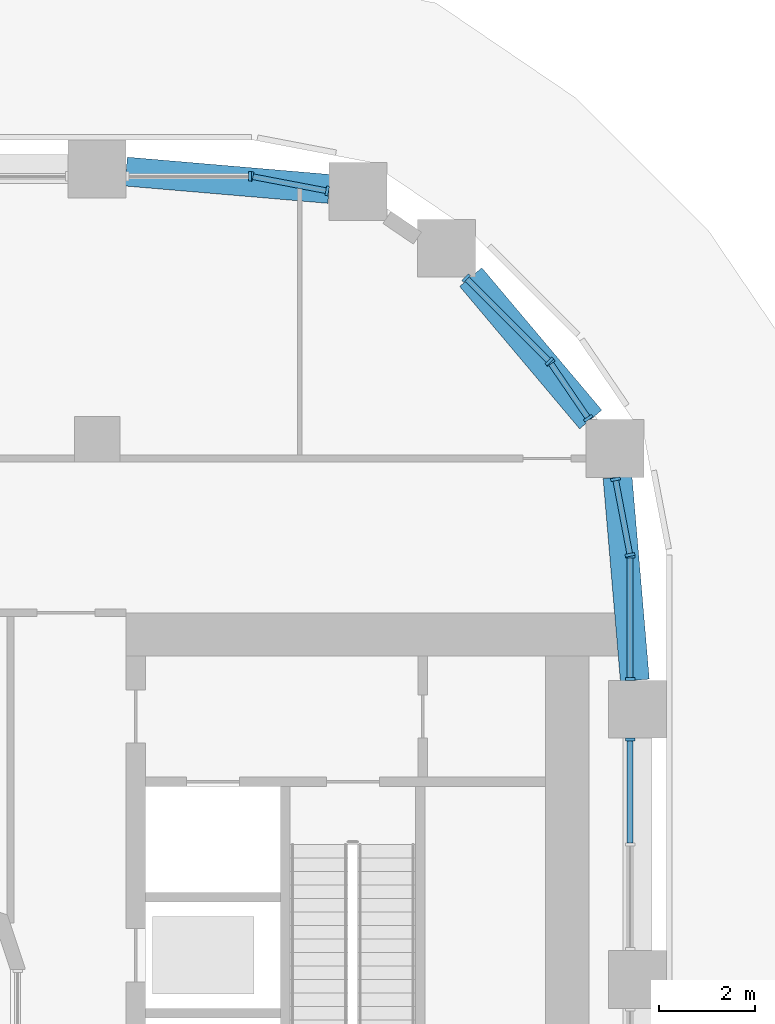
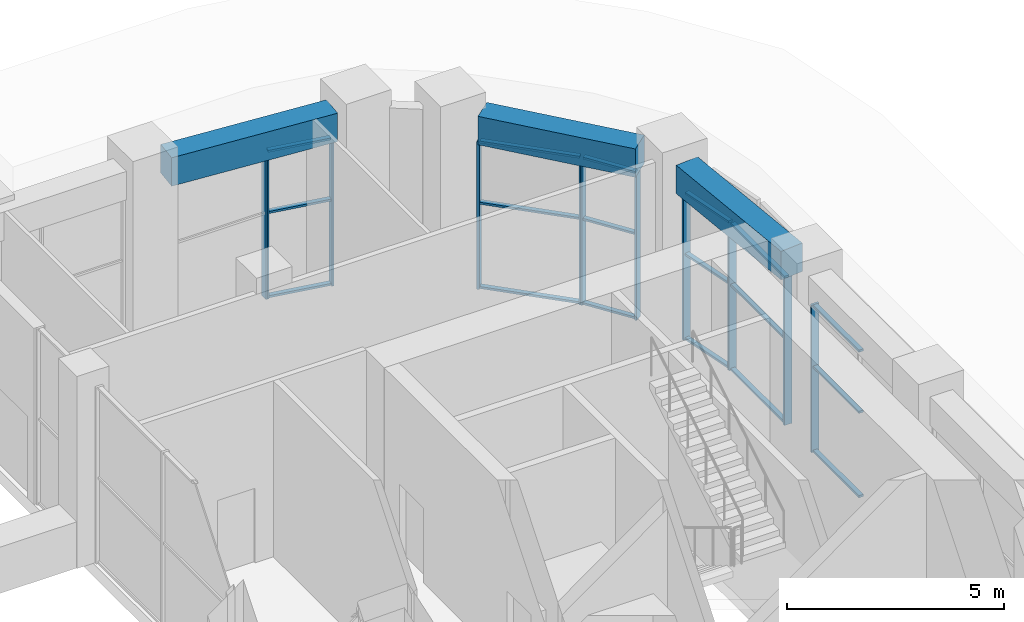
# One storey, part 10 of 28: 30 members, 3 beams, 7 elements without a shape of their own.
"""IFC4 building model written with IfcOpenShell, lengths in metres."""

import ifcopenshell
import ifcopenshell.guid

model = None  # the IFC model being written
_history = None  # IfcOwnerHistory: only IFC2X3 demands one
_inside = {}  # id of a spatial element -> (the spatial element, [elements in it])
_under = {}  # id of a project, library or spatial element -> (it, [spatial elements below it])
_declared = {}  # id of a project -> (the project, [libraries it declares])
_typed = {}  # id of a type object -> (the type object, [elements of that type])
_made_of = {}  # id of a material, layer set ... -> (it, [elements and type objects made of it])


def new_model(schema):
    """Start an empty IFC model of exactly this schema.

    Asked for "IFC4X3", IfcOpenShell would pick the latest addendum, in which some entities
    have other attributes; the version numbers below select the first issue.
    IFC2X3 requires an IfcOwnerHistory on every rooted entity: one is made here for all.
    """
    global model, _history
    if schema == "IFC4X3":
        model = ifcopenshell.file(schema_version=(4, 3, 0, 0))
    else:
        model = ifcopenshell.file(schema=schema)
    _inside.clear()
    _under.clear()
    _declared.clear()
    _typed.clear()
    _made_of.clear()
    _history = None
    if model.schema == "IFC2X3":
        org = make("IfcOrganization", Name="unknown")
        user = make(
            "IfcPersonAndOrganization",
            ThePerson=make("IfcPerson", FamilyName="unknown"),
            TheOrganization=org,
        )
        app = make(
            "IfcApplication",
            ApplicationDeveloper=org,
            Version="unknown",
            ApplicationFullName="unknown",
            ApplicationIdentifier="unknown",
        )
        _history = make(
            "IfcOwnerHistory",
            OwningUser=user,
            OwningApplication=app,
            ChangeAction="ADDED",
            CreationDate=0,
        )
    return model


def make(cls, **values):
    """One entity of the class cls with the attributes given. An attribute that is None is left unset."""
    return model.create_entity(
        cls, **{name: value for name, value in values.items() if value is not None}
    )


def rooted(cls, **values):
    """An entity with a GlobalId (a new one), such as an element, a storey or a relation."""
    return make(cls, GlobalId=ifcopenshell.guid.new(), OwnerHistory=_history, **values)


def si_unit(unit_type, name, prefix=None):
    """IfcSIUnit, for example si_unit("LENGTHUNIT", "METRE", prefix="MILLI")."""
    return make("IfcSIUnit", UnitType=unit_type, Prefix=prefix, Name=name)


def assignment(units):
    """IfcUnitAssignment: the units of a project."""
    return None if units is None else make("IfcUnitAssignment", Units=units)


def point(xyz):
    """IfcCartesianPoint."""
    return None if xyz is None else make("IfcCartesianPoint", Coordinates=xyz)


def direction(xyz):
    """IfcDirection."""
    return None if xyz is None else make("IfcDirection", DirectionRatios=xyz)


def frame(location, z_axis=None, x_axis=None):
    """IfcAxis2Placement3D, a coordinate frame: its origin and axes. An axis left out is left unset."""
    return make(
        "IfcAxis2Placement3D",
        Location=point(location),
        Axis=direction(z_axis),
        RefDirection=direction(x_axis),
    )


def frame_2d(location, x_axis=None):
    """IfcAxis2Placement2D, a coordinate frame in the plane: its origin and x axis."""
    return make(
        "IfcAxis2Placement2D", Location=point(location), RefDirection=direction(x_axis)
    )


def origin():
    """The frame at (0, 0, 0) with its axes left unset."""
    return frame((0.0, 0.0, 0.0))


def origin_2d():
    """The frame at (0, 0) in the plane with its x axis left unset."""
    return frame_2d((0.0, 0.0))


def place(relative_to, where):
    """IfcLocalPlacement: puts the frame where relative to a parent placement (None: the world)."""
    return make(
        "IfcLocalPlacement", PlacementRelTo=relative_to, RelativePlacement=where
    )


def context(
    kind, dimensions, precision=None, world=None, true_north=None, identifier=None
):
    """IfcGeometricRepresentationContext, for example the 3D "Model" context."""
    return make(
        "IfcGeometricRepresentationContext",
        ContextIdentifier=identifier,
        ContextType=kind,
        CoordinateSpaceDimension=dimensions,
        Precision=precision,
        WorldCoordinateSystem=world,
        TrueNorth=true_north,
    )


def subcontext(parent, identifier, kind, view, scale=None):
    """IfcGeometricRepresentationSubContext, for example "Body" below "Model"."""
    return make(
        "IfcGeometricRepresentationSubContext",
        ContextIdentifier=identifier,
        ContextType=kind,
        ParentContext=parent,
        TargetScale=scale,
        TargetView=view,
    )


def project(units=None, contexts=None):
    """IfcProject with its units and contexts."""
    return rooted(
        "IfcProject",
        Name="project",
        RepresentationContexts=contexts,
        UnitsInContext=assignment(units),
    )


def spatial(cls, under=None, at=None, **own):
    """A site, building, storey or space (cls), placed at a placement, below another one or the project."""
    s = rooted(cls, ObjectPlacement=at, **own)
    if under is not None:
        _under.setdefault(under.id(), (under, []))[1].append(s)
    return s


def profile(cls, at=None, kind="AREA", **sizes):
    """A parametric profile (cls). Its sizes go by their IFC names, for example OverallWidth=200.0."""
    return make(cls, ProfileType=kind, Position=at, **sizes)


def rectangle(**sizes):
    """IfcRectangleProfileDef."""
    return profile("IfcRectangleProfileDef", **sizes)


def extrude(swept, where, along, depth):
    """IfcExtrudedAreaSolid: the profile swept, set in the frame where, extruded along a direction by depth."""
    return make(
        "IfcExtrudedAreaSolid",
        SweptArea=swept,
        Position=where,
        ExtrudedDirection=direction(along),
        Depth=depth,
    )


def shape(context_of_items, identifier, shape_type, items):
    """IfcShapeRepresentation: the items that make up one representation, for example the "Body"."""
    return make(
        "IfcShapeRepresentation",
        ContextOfItems=context_of_items,
        RepresentationIdentifier=identifier,
        RepresentationType=shape_type,
        Items=items,
    )


def material(Name=None, Category=None):
    """IfcMaterial."""
    return make("IfcMaterial", Name=Name, Category=Category)


def layer(
    of_material, thickness, ventilated=None, Name=None, Category=None, Priority=None
):
    """IfcMaterialLayer: one layer of a wall or slab, of a material (None: an air gap)."""
    return make(
        "IfcMaterialLayer",
        Material=of_material,
        LayerThickness=thickness,
        IsVentilated=ventilated,
        Name=Name,
        Category=Category,
        Priority=Priority,
    )


def layer_set(layers, Name=None):
    """IfcMaterialLayerSet."""
    return make("IfcMaterialLayerSet", MaterialLayers=layers, LayerSetName=Name)


def material_profile(
    of_material, cross_section, Name=None, Category=None, Priority=None
):
    """IfcMaterialProfile: a cross section and its material."""
    return make(
        "IfcMaterialProfile",
        Name=Name,
        Material=of_material,
        Profile=cross_section,
        Priority=Priority,
        Category=Category,
    )


def profile_set(profiles, Name=None, composite=None):
    """IfcMaterialProfileSet."""
    return make(
        "IfcMaterialProfileSet",
        Name=Name,
        MaterialProfiles=profiles,
        CompositeProfile=composite,
    )


def made_of(thing, what):
    """Note that an element or type object is made of a material, layer set ...; save() writes the relation."""
    if what is not None:
        _made_of.setdefault(what.id(), (what, []))[1].append(thing)
    return thing


def type_object(cls, material=None, **own):
    """A type object (cls), such as IfcWallType, which elements share."""
    return made_of(rooted(cls, **own), material)


def element(
    cls,
    number,
    at=None,
    inside=None,
    cuts=None,
    type_object=None,
    material=None,
    context=None,
    identifier="Body",
    shape_type=None,
    held_by="IfcProductDefinitionShape",
    body=None,
    shapes=None,
    **own,
):
    """One element of the class cls, such as IfcWall. Its Tag is "e" and its number.

    at: its placement. inside: the storey or other place that contains it. cuts: it is an
    opening in that element (IfcRelVoidsElement). A single representation is given by context,
    identifier, shape_type and body (its items); several are given by shapes. held_by: the class
    of the entity that holds the representations. save() writes the other relations.
    """
    e = rooted(cls, Tag="e%d" % number, ObjectPlacement=at, **own)
    if body is not None:
        shapes = [shape(context, identifier, shape_type, body)]
    if shapes is not None:
        e.Representation = make(held_by, Representations=shapes)
    if inside is not None:
        _inside.setdefault(inside.id(), (inside, []))[1].append(e)
    if cuts is not None:
        rooted(
            "IfcRelVoidsElement", RelatingBuildingElement=cuts, RelatedOpeningElement=e
        )
    if type_object is not None:
        _typed.setdefault(type_object.id(), (type_object, []))[1].append(e)
    return made_of(e, material)


def aggregate(whole, parts):
    """IfcRelAggregates: a whole, such as a stair, and the parts it consists of."""
    return rooted("IfcRelAggregates", RelatingObject=whole, RelatedObjects=parts)


def save(model, path):
    """Write the relations noted so far, then the file.

    IfcRelAggregates (storeys below a building ...), IfcRelContainedInSpatialStructure (elements
    in a storey), IfcRelDefinesByType, IfcRelAssociatesMaterial and IfcRelDeclares: one each for
    every whole, place, type object, material and project.
    """
    for whole, parts in _under.values():
        aggregate(whole, parts)
    for where, things in _inside.values():
        rooted(
            "IfcRelContainedInSpatialStructure",
            RelatedElements=things,
            RelatingStructure=where,
        )
    for kind, things in _typed.values():
        rooted("IfcRelDefinesByType", RelatedObjects=things, RelatingType=kind)
    for what, things in _made_of.values():
        rooted("IfcRelAssociatesMaterial", RelatedObjects=things, RelatingMaterial=what)
    for by, libraries in _declared.values():
        rooted("IfcRelDeclares", RelatingContext=by, RelatedDefinitions=libraries)
    model.write(path)


model = new_model("IFC4")

# Units and contexts
model_context = context("Model", 3, precision=1e-05, world=origin(), true_north=direction((0.0, 1.0)))
body_context = subcontext(model_context, "Body", "Model", "MODEL_VIEW")
ifc_project = project(units=[si_unit("LENGTHUNIT", "METRE"), si_unit("AREAUNIT", "SQUARE_METRE"), si_unit("VOLUMEUNIT", "CUBIC_METRE"), si_unit("PLANEANGLEUNIT", "RADIAN"), si_unit("MASSUNIT", "GRAM", prefix="KILO")], contexts=[model_context])

# Site, building, storey
site_placement = place(None, origin())
site = spatial("IfcSite", under=ifc_project, at=site_placement, CompositionType="ELEMENT")
building_placement = place(site_placement, origin())
building = spatial("IfcBuilding", under=site, at=building_placement, Name="Kiln Ring Residences", CompositionType="ELEMENT")
storey_placement = place(building_placement, frame((0.0, 0.0, 125.300048828125)))
storey = spatial("IfcBuildingStorey", under=building, at=storey_placement, Name="L32", CompositionType="ELEMENT", Elevation=125.300048828125)

# Curtain wall, member
ifc_material_1 = material(Name="Aluminium and glass", Category="aluminium")
ifc_layer = layer(ifc_material_1, 0.199951171875)
ifc_layer_set = layer_set([ifc_layer], Name="CW1 CURTAIN WALL")
curtain_wall_type = type_object("IfcCurtainWallType", Name="CW1 CURTAIN WALL", PredefinedType="NOTDEFINED", material=ifc_layer_set)
placement = place(storey_placement, origin())
curtain_wall_1 = element("IfcCurtainWall", 1, at=placement, inside=storey, type_object=curtain_wall_type, Name="Curtain wall CW1 L32", PredefinedType="NOTDEFINED")
ifc_material_2 = material(Name="Aluminium 6063-T6", Category="aluminium")
ifc_material_profile_1 = material_profile(ifc_material_2, rectangle(XDim=0.199951171875, YDim=0.06005859375, at=origin_2d()), Name="AL 200x60")
ifc_profile_set_1 = profile_set([ifc_material_profile_1], Name="Aluminium 6063-T6")
member_type_1 = type_object("IfcMemberType", Name="CW1 MULLION 200 x 60", PredefinedType="MULLION", material=ifc_profile_set_1)
member_1_placement = place(storey_placement, frame((27.85009765625, 10.570068359375, 0.0), z_axis=(0.0, 0.0, 1.0), x_axis=(-1.0, 0.0, 0.0)))
member_1 = element("IfcMember", 2, at=member_1_placement, type_object=member_type_1, Name="CW1 mullion 3", PredefinedType="MULLION", context=body_context, shape_type="SweptSolid", body=[
    extrude(rectangle(XDim=0.199951171875, YDim=0.06005859375, at=origin_2d()), origin(), (0.0, 0.0, 1.0), 4.14990234375),
])

# Curtain wall, members
curtain_wall_2 = element("IfcCurtainWall", 3, at=placement, inside=storey, type_object=curtain_wall_type, Name="Curtain wall CW1 L32", PredefinedType="NOTDEFINED")
member_2_placement = place(storey_placement, frame((27.85009765625, 11.830078125, 0.0), z_axis=(0.0, 0.0, 1.0), x_axis=(-1.0, 0.0, 0.0)))
member_2 = element("IfcMember", 4, at=member_2_placement, type_object=member_type_1, Name="CW1 mullion 1", PredefinedType="MULLION", context=body_context, shape_type="SweptSolid", body=[
    extrude(rectangle(XDim=0.199951171875, YDim=0.06005859375, at=origin_2d()), origin(), (0.0, 0.0, 1.0), 4.14990234375),
])
member_3_placement = place(storey_placement, frame((27.85009765625, 14.3701171875, 0.0), z_axis=(0.0, 0.0, 1.0), x_axis=(-1.0, 0.0, 0.0)))
member_3 = element("IfcMember", 5, at=member_3_placement, type_object=member_type_1, Name="CW1 mullion 2", PredefinedType="MULLION", context=body_context, shape_type="SweptSolid", body=[
    extrude(rectangle(XDim=0.199951171875, YDim=0.06005859375, at=origin_2d()), origin(), (0.0, 0.0, 1.0), 4.14990234375),
])

curtain_wall_3 = element("IfcCurtainWall", 6, at=placement, inside=storey, type_object=curtain_wall_type, Name="Curtain wall CW1 L32", PredefinedType="NOTDEFINED")
member_4_placement = place(storey_placement, frame((27.846923828125, 14.4013671875, 0.0), z_axis=(0.0, 0.0, 1.0), x_axis=(-0.982290257803, -0.187365550262, 0.0)))
member_4 = element("IfcMember", 7, at=member_4_placement, type_object=member_type_1, Name="CW1 mullion 1", PredefinedType="MULLION", context=body_context, shape_type="SweptSolid", body=[
    extrude(rectangle(XDim=0.199951171875, YDim=0.06005859375, at=origin_2d()), origin(), (0.0, 0.0, 1.0), 4.14990234375),
])
member_5_placement = place(storey_placement, frame((27.548095703125, 15.96923828125, 0.0), z_axis=(0.0, 0.0, 1.0), x_axis=(-0.982290257803, -0.187365550262, 0.0)))
member_5 = element("IfcMember", 8, at=member_5_placement, type_object=member_type_1, Name="CW1 mullion 2", PredefinedType="MULLION", context=body_context, shape_type="SweptSolid", body=[
    extrude(rectangle(XDim=0.199951171875, YDim=0.06005859375, at=origin_2d()), origin(), (0.0, 0.0, 1.0), 4.14990234375),
])

curtain_wall_4 = element("IfcCurtainWall", 9, at=placement, inside=storey, type_object=curtain_wall_type, Name="Curtain wall CW1 L32", PredefinedType="NOTDEFINED")
member_6_placement = place(storey_placement, frame((26.980224609375, 17.2333984375, 0.0), z_axis=(0.0, 0.0, 1.0), x_axis=(-0.827071553419, -0.562096651409, 0.0)))
member_6 = element("IfcMember", 10, at=member_6_placement, type_object=member_type_1, Name="CW1 mullion 1", PredefinedType="MULLION", context=body_context, shape_type="SweptSolid", body=[
    extrude(rectangle(XDim=0.199951171875, YDim=0.06005859375, at=origin_2d()), origin(), (0.0, 0.0, 1.0), 4.14990234375),
])
member_7_placement = place(storey_placement, frame((26.19580078125, 18.387939453125, 0.0), z_axis=(0.0, 0.0, 1.0), x_axis=(-0.827071553419, -0.562096651409, 0.0)))
member_7 = element("IfcMember", 11, at=member_7_placement, type_object=member_type_1, Name="CW1 mullion 2", PredefinedType="MULLION", context=body_context, shape_type="SweptSolid", body=[
    extrude(rectangle(XDim=0.199951171875, YDim=0.06005859375, at=origin_2d()), origin(), (0.0, 0.0, 1.0), 4.14990234375),
])

curtain_wall_5 = element("IfcCurtainWall", 12, at=placement, inside=storey, type_object=curtain_wall_type, Name="Curtain wall CW1 L32", PredefinedType="NOTDEFINED")
member_8_placement = place(storey_placement, frame((26.17578125, 18.412109375, 0.0), z_axis=(0.0, 0.0, 1.0), x_axis=(-0.707106781187, -0.707106781187, 0.0)))
member_8 = element("IfcMember", 13, at=member_8_placement, type_object=member_type_1, Name="CW1 mullion 1", PredefinedType="MULLION", context=body_context, shape_type="SweptSolid", body=[
    extrude(rectangle(XDim=0.199951171875, YDim=0.06005859375, at=origin_2d()), origin(), (0.0, 0.0, 1.0), 4.14990234375),
])
member_9_placement = place(storey_placement, frame((24.44921875, 20.138671875, 0.0), z_axis=(0.0, 0.0, 1.0), x_axis=(-0.707106781187, -0.707106781187, 0.0)))
member_9 = element("IfcMember", 14, at=member_9_placement, type_object=member_type_1, Name="CW1 mullion 2", PredefinedType="MULLION", context=body_context, shape_type="SweptSolid", body=[
    extrude(rectangle(XDim=0.199951171875, YDim=0.06005859375, at=origin_2d()), origin(), (0.0, 0.0, 1.0), 4.14990234375),
])

curtain_wall_6 = element("IfcCurtainWall", 15, at=placement, inside=storey, type_object=curtain_wall_type, Name="Curtain wall CW1 L32", PredefinedType="NOTDEFINED")
member_10_placement = place(storey_placement, frame((21.5693359375, 21.947998046875, 0.0), z_axis=(0.0, 0.0, 1.0), x_axis=(-0.187365550262, -0.982290257803, 0.0)))
member_10 = element("IfcMember", 16, at=member_10_placement, type_object=member_type_1, Name="CW1 mullion 1", PredefinedType="MULLION", context=body_context, shape_type="SweptSolid", body=[
    extrude(rectangle(XDim=0.199951171875, YDim=0.06005859375, at=origin_2d()), origin(), (0.0, 0.0, 1.0), 4.14990234375),
])
member_11_placement = place(storey_placement, frame((20.00146484375, 22.2470703125, 0.0), z_axis=(0.0, 0.0, 1.0), x_axis=(-0.187365550262, -0.982290257803, 0.0)))
member_11 = element("IfcMember", 17, at=member_11_placement, type_object=member_type_1, Name="CW1 mullion 2", PredefinedType="MULLION", context=body_context, shape_type="SweptSolid", body=[
    extrude(rectangle(XDim=0.199951171875, YDim=0.06005859375, at=origin_2d()), origin(), (0.0, 0.0, 1.0), 4.14990234375),
])

# Curtain wall, member
curtain_wall_7 = element("IfcCurtainWall", 18, at=placement, inside=storey, type_object=curtain_wall_type, Name="Curtain wall CW1 L32", PredefinedType="NOTDEFINED")
member_12_placement = place(storey_placement, frame((19.969970703125, 22.25, 0.0), z_axis=(0.0, 0.0, 1.0), x_axis=(0.0, -1.0, 0.0)))
member_12 = element("IfcMember", 19, at=member_12_placement, type_object=member_type_1, Name="CW1 mullion 1", PredefinedType="MULLION", context=body_context, shape_type="SweptSolid", body=[
    extrude(rectangle(XDim=0.199951171875, YDim=0.06005859375, at=origin_2d()), origin(), (0.0, 0.0, 1.0), 4.14990234375),
])
aggregate(curtain_wall_7, [member_12])

# Member
ifc_material_3 = material(Name="Aluminium 6063-T6", Category="aluminium")
ifc_material_profile_2 = material_profile(ifc_material_3, rectangle(XDim=0.1201171875, YDim=0.06005859375, at=origin_2d()), Name="AL 120x60")
ifc_profile_set_2 = profile_set([ifc_material_profile_2], Name="Aluminium 6063-T6")
member_type_2 = type_object("IfcMemberType", Name="CW1 TRANSOM 120 x 60", PredefinedType="USERDEFINED", material=ifc_profile_set_2)
member_13_placement = place(storey_placement, frame((27.85009765625, 8.429931640625, 0.030029296875), z_axis=(0.0, 1.0, 0.0), x_axis=(-1.0, 0.0, 0.0)))
member_13 = element("IfcMember", 20, at=member_13_placement, type_object=member_type_2, Name="CW1 transom 2.1", ObjectType="TRANSOM", PredefinedType="USERDEFINED", context=body_context, shape_type="SweptSolid", body=[
    extrude(rectangle(XDim=0.1201171875, YDim=0.06005859375, at=origin_2d()), origin(), (0.0, 0.0, 1.0), 2.110107421875),
])

member_14_placement = place(storey_placement, frame((27.85009765625, 8.429931640625, 2.39990234375), z_axis=(0.0, 1.0, 0.0), x_axis=(-1.0, 0.0, 0.0)))
member_14 = element("IfcMember", 21, at=member_14_placement, type_object=member_type_2, Name="CW1 transom 2.2", ObjectType="TRANSOM", PredefinedType="USERDEFINED", context=body_context, shape_type="SweptSolid", body=[
    extrude(rectangle(XDim=0.1201171875, YDim=0.06005859375, at=origin_2d()), origin(), (0.0, 0.0, 1.0), 2.110107421875),
])

member_15_placement = place(storey_placement, frame((27.85009765625, 8.429931640625, 4.119873046875), z_axis=(0.0, 1.0, 0.0), x_axis=(-1.0, 0.0, 0.0)))
member_15 = element("IfcMember", 22, at=member_15_placement, type_object=member_type_2, Name="CW1 transom 2.3", ObjectType="TRANSOM", PredefinedType="USERDEFINED", context=body_context, shape_type="SweptSolid", body=[
    extrude(rectangle(XDim=0.1201171875, YDim=0.06005859375, at=origin_2d()), origin(), (0.0, 0.0, 1.0), 2.110107421875),
])

aggregate(curtain_wall_1, [member_1, member_13, member_14, member_15])

member_16_placement = place(storey_placement, frame((27.85009765625, 11.860107421875, 0.030029296875), z_axis=(0.0, 1.0, 0.0), x_axis=(-1.0, 0.0, 0.0)))
member_16 = element("IfcMember", 23, at=member_16_placement, type_object=member_type_2, Name="CW1 transom 1.1", ObjectType="TRANSOM", PredefinedType="USERDEFINED", context=body_context, shape_type="SweptSolid", body=[
    extrude(rectangle(XDim=0.1201171875, YDim=0.06005859375, at=origin_2d()), origin(), (0.0, 0.0, 1.0), 2.47998046875),
])

member_17_placement = place(storey_placement, frame((27.85009765625, 11.860107421875, 2.39990234375), z_axis=(0.0, 1.0, 0.0), x_axis=(-1.0, 0.0, 0.0)))
member_17 = element("IfcMember", 24, at=member_17_placement, type_object=member_type_2, Name="CW1 transom 1.2", ObjectType="TRANSOM", PredefinedType="USERDEFINED", context=body_context, shape_type="SweptSolid", body=[
    extrude(rectangle(XDim=0.1201171875, YDim=0.06005859375, at=origin_2d()), origin(), (0.0, 0.0, 1.0), 2.47998046875),
])

member_18_placement = place(storey_placement, frame((27.85009765625, 11.860107421875, 4.119873046875), z_axis=(0.0, 1.0, 0.0), x_axis=(-1.0, 0.0, 0.0)))
member_18 = element("IfcMember", 25, at=member_18_placement, type_object=member_type_2, Name="CW1 transom 1.3", ObjectType="TRANSOM", PredefinedType="USERDEFINED", context=body_context, shape_type="SweptSolid", body=[
    extrude(rectangle(XDim=0.1201171875, YDim=0.06005859375, at=origin_2d()), origin(), (0.0, 0.0, 1.0), 2.47998046875),
])

aggregate(curtain_wall_2, [member_2, member_3, member_16, member_17, member_18])

member_19_placement = place(storey_placement, frame((27.84130859375, 14.430908203125, 0.030029296875), z_axis=(-0.187243579417, 0.98231351511, 0.0), x_axis=(-0.98231351511, -0.187243579417, 0.0)))
member_19 = element("IfcMember", 26, at=member_19_placement, type_object=member_type_2, Name="CW1 transom 1.1", ObjectType="TRANSOM", PredefinedType="USERDEFINED", context=body_context, shape_type="SweptSolid", body=[
    extrude(rectangle(XDim=0.1201171875, YDim=0.06005859375, at=origin_2d()), origin(), (0.0, 0.0, 1.0), 1.535888671875),
])

member_20_placement = place(storey_placement, frame((27.84130859375, 14.430908203125, 2.39990234375), z_axis=(-0.187243579417, 0.98231351511, 0.0), x_axis=(-0.98231351511, -0.187243579417, 0.0)))
member_20 = element("IfcMember", 27, at=member_20_placement, type_object=member_type_2, Name="CW1 transom 1.2", ObjectType="TRANSOM", PredefinedType="USERDEFINED", context=body_context, shape_type="SweptSolid", body=[
    extrude(rectangle(XDim=0.1201171875, YDim=0.06005859375, at=origin_2d()), origin(), (0.0, 0.0, 1.0), 1.535888671875),
])

member_21_placement = place(storey_placement, frame((27.84130859375, 14.430908203125, 4.119873046875), z_axis=(-0.187243579417, 0.98231351511, 0.0), x_axis=(-0.98231351511, -0.187243579417, 0.0)))
member_21 = element("IfcMember", 28, at=member_21_placement, type_object=member_type_2, Name="CW1 transom 1.3", ObjectType="TRANSOM", PredefinedType="USERDEFINED", context=body_context, shape_type="SweptSolid", body=[
    extrude(rectangle(XDim=0.1201171875, YDim=0.06005859375, at=origin_2d()), origin(), (0.0, 0.0, 1.0), 1.535888671875),
])

aggregate(curtain_wall_3, [member_4, member_5, member_19, member_20, member_21])

member_22_placement = place(storey_placement, frame((26.96337890625, 17.25830078125, 0.030029296875), z_axis=(-0.562060017944, 0.82709644917, 0.0), x_axis=(-0.82709644917, -0.562060017944, 0.0)))
member_22 = element("IfcMember", 29, at=member_22_placement, type_object=member_type_2, Name="CW1 transom 1.1", ObjectType="TRANSOM", PredefinedType="USERDEFINED", context=body_context, shape_type="SweptSolid", body=[
    extrude(rectangle(XDim=0.1201171875, YDim=0.06005859375, at=origin_2d()), origin(), (0.0, 0.0, 1.0), 1.335693359375),
])

member_23_placement = place(storey_placement, frame((26.96337890625, 17.25830078125, 2.39990234375), z_axis=(-0.562060017944, 0.82709644917, 0.0), x_axis=(-0.82709644917, -0.562060017944, 0.0)))
member_23 = element("IfcMember", 30, at=member_23_placement, type_object=member_type_2, Name="CW1 transom 1.2", ObjectType="TRANSOM", PredefinedType="USERDEFINED", context=body_context, shape_type="SweptSolid", body=[
    extrude(rectangle(XDim=0.1201171875, YDim=0.06005859375, at=origin_2d()), origin(), (0.0, 0.0, 1.0), 1.335693359375),
])

member_24_placement = place(storey_placement, frame((26.96337890625, 17.25830078125, 4.119873046875), z_axis=(-0.562060017944, 0.82709644917, 0.0), x_axis=(-0.82709644917, -0.562060017944, 0.0)))
member_24 = element("IfcMember", 31, at=member_24_placement, type_object=member_type_2, Name="CW1 transom 1.3", ObjectType="TRANSOM", PredefinedType="USERDEFINED", context=body_context, shape_type="SweptSolid", body=[
    extrude(rectangle(XDim=0.1201171875, YDim=0.06005859375, at=origin_2d()), origin(), (0.0, 0.0, 1.0), 1.335693359375),
])

aggregate(curtain_wall_4, [member_6, member_7, member_22, member_23, member_24])

member_25_placement = place(storey_placement, frame((26.154541015625, 18.433349609375, 0.030029296875), z_axis=(-0.707106781187, 0.707106781187, 0.0), x_axis=(-0.707106781187, -0.707106781187, 0.0)))
member_25 = element("IfcMember", 32, at=member_25_placement, type_object=member_type_2, Name="CW1 transom 1.1", ObjectType="TRANSOM", PredefinedType="USERDEFINED", context=body_context, shape_type="SweptSolid", body=[
    extrude(rectangle(XDim=0.1201171875, YDim=0.06005859375, at=origin_2d()), origin(), (0.0, 0.0, 1.0), 2.381591796875),
])

member_26_placement = place(storey_placement, frame((26.154541015625, 18.433349609375, 2.39990234375), z_axis=(-0.707106781187, 0.707106781187, 0.0), x_axis=(-0.707106781187, -0.707106781187, 0.0)))
member_26 = element("IfcMember", 33, at=member_26_placement, type_object=member_type_2, Name="CW1 transom 1.2", ObjectType="TRANSOM", PredefinedType="USERDEFINED", context=body_context, shape_type="SweptSolid", body=[
    extrude(rectangle(XDim=0.1201171875, YDim=0.06005859375, at=origin_2d()), origin(), (0.0, 0.0, 1.0), 2.381591796875),
])

member_27_placement = place(storey_placement, frame((26.154541015625, 18.433349609375, 4.119873046875), z_axis=(-0.707106781187, 0.707106781187, 0.0), x_axis=(-0.707106781187, -0.707106781187, 0.0)))
member_27 = element("IfcMember", 34, at=member_27_placement, type_object=member_type_2, Name="CW1 transom 1.3", ObjectType="TRANSOM", PredefinedType="USERDEFINED", context=body_context, shape_type="SweptSolid", body=[
    extrude(rectangle(XDim=0.1201171875, YDim=0.06005859375, at=origin_2d()), origin(), (0.0, 0.0, 1.0), 2.381591796875),
])

aggregate(curtain_wall_5, [member_8, member_9, member_25, member_26, member_27])

member_28_placement = place(storey_placement, frame((21.539794921875, 21.95361328125, 0.030029296875), z_axis=(-0.982289848443, 0.187367696378, 0.0), x_axis=(-0.187367696378, -0.982289848443, 0.0)))
member_28 = element("IfcMember", 35, at=member_28_placement, type_object=member_type_2, Name="CW1 transom 1.1", ObjectType="TRANSOM", PredefinedType="USERDEFINED", context=body_context, shape_type="SweptSolid", body=[
    extrude(rectangle(XDim=0.1201171875, YDim=0.06005859375, at=origin_2d()), origin(), (0.0, 0.0, 1.0), 1.5361328125),
])

member_29_placement = place(storey_placement, frame((21.539794921875, 21.95361328125, 2.39990234375), z_axis=(-0.982289848443, 0.187367696378, 0.0), x_axis=(-0.187367696378, -0.982289848443, 0.0)))
member_29 = element("IfcMember", 36, at=member_29_placement, type_object=member_type_2, Name="CW1 transom 1.2", ObjectType="TRANSOM", PredefinedType="USERDEFINED", context=body_context, shape_type="SweptSolid", body=[
    extrude(rectangle(XDim=0.1201171875, YDim=0.06005859375, at=origin_2d()), origin(), (0.0, 0.0, 1.0), 1.5361328125),
])

member_30_placement = place(storey_placement, frame((21.539794921875, 21.95361328125, 4.119873046875), z_axis=(-0.982289848443, 0.187367696378, 0.0), x_axis=(-0.187367696378, -0.982289848443, 0.0)))
member_30 = element("IfcMember", 37, at=member_30_placement, type_object=member_type_2, Name="CW1 transom 1.3", ObjectType="TRANSOM", PredefinedType="USERDEFINED", context=body_context, shape_type="SweptSolid", body=[
    extrude(rectangle(XDim=0.1201171875, YDim=0.06005859375, at=origin_2d()), origin(), (0.0, 0.0, 1.0), 1.5361328125),
])

aggregate(curtain_wall_6, [member_10, member_11, member_28, member_29, member_30])

# Beams
ifc_material_4 = material(Name="Concrete C50/60", Category="concrete")
ifc_material_profile_3 = material_profile(ifc_material_4, rectangle(XDim=0.60009765625, YDim=0.800048828125, at=origin_2d()), Name="RC600x800")
ifc_profile_set_3 = profile_set([ifc_material_profile_3], Name="Concrete C50/60")
beam_type = type_object("IfcBeamType", Name="Spandrel beam RC600x800 C50/60", PredefinedType="SPANDREL", material=ifc_profile_set_3)
beam_1_placement = place(storey_placement, frame((27.94873046875, 11.800048828125, 4.550048828125), z_axis=(-0.085078191129, 0.996374277766, 0.0), x_axis=(-0.996374277766, -0.085078191129, 0.0)))
element("IfcBeam", 38, at=beam_1_placement, inside=storey, type_object=beam_type, Name="Spandrel beam L32 11", PredefinedType="SPANDREL", context=body_context, shape_type="SweptSolid", body=[
    extrude(rectangle(XDim=0.60009765625, YDim=0.800048828125, at=origin_2d()), origin(), (0.0, 0.0, 1.0), 4.22412109375),
])
beam_2_placement = place(storey_placement, frame((27.032470703125, 17.208740234375, 4.550048828125), z_axis=(-0.644344175314, 0.764735629965, 0.0), x_axis=(-0.764735629965, -0.644344175314, 0.0)))
element("IfcBeam", 39, at=beam_2_placement, inside=storey, type_object=beam_type, Name="Spandrel beam L32 12", PredefinedType="SPANDREL", context=body_context, shape_type="SweptSolid", body=[
    extrude(rectangle(XDim=0.60009765625, YDim=0.800048828125, at=origin_2d()), origin(), (0.0, 0.0, 1.0), 3.859130859375),
])
beam_3_placement = place(storey_placement, frame((21.608642578125, 21.9892578125, 4.550048828125), z_axis=(-0.996369376645, 0.085135570033, 0.0), x_axis=(-0.085135570033, -0.996369376645, 0.0)))
element("IfcBeam", 40, at=beam_3_placement, inside=storey, type_object=beam_type, Name="Spandrel beam L32 13", PredefinedType="SPANDREL", context=body_context, shape_type="SweptSolid", body=[
    extrude(rectangle(XDim=0.60009765625, YDim=0.800048828125, at=origin_2d()), origin(), (0.0, 0.0, 1.0), 4.22412109375),
])

save(model, "model.ifc")
